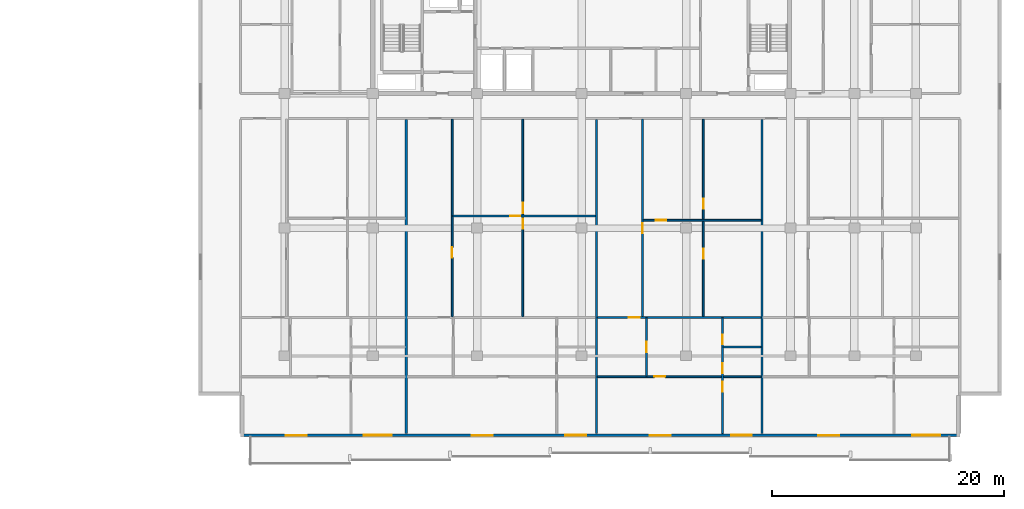
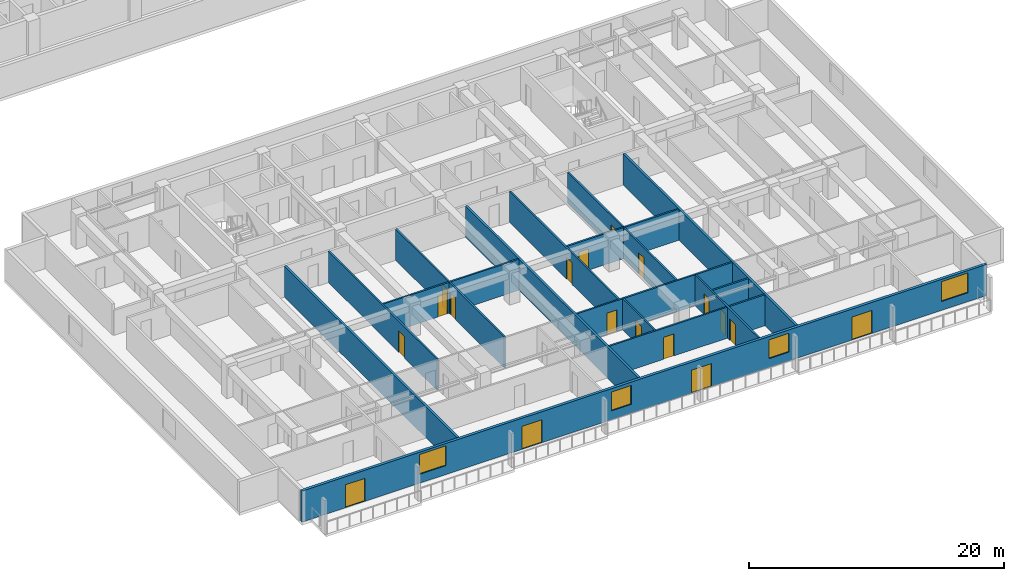
# One storey, part 5 of 23: 18 doors, 15 walls, 4 windows, 22 openings.
"""IFC4 building model written with IfcOpenShell, lengths in metres."""

from ifc_helpers import new_model, si_unit, direction, frame, frame_2d, origin, place, context, subcontext, project, spatial, rectangle, extrude, material, layer, layer_set, type_object, element, fill, save


model = new_model("IFC4")

# Units and contexts
model_context = context("Model", 3, precision=1e-05, world=origin(), true_north=direction((0.0, 1.0)))
body_context = subcontext(model_context, "Body", "Model", "MODEL_VIEW")
ifc_project = project(units=[si_unit("LENGTHUNIT", "METRE"), si_unit("AREAUNIT", "SQUARE_METRE"), si_unit("VOLUMEUNIT", "CUBIC_METRE"), si_unit("PLANEANGLEUNIT", "RADIAN"), si_unit("MASSUNIT", "GRAM", prefix="KILO")], contexts=[model_context])

# Site, building, storey
site_placement = place(None, origin())
site = spatial("IfcSite", under=ifc_project, at=site_placement, CompositionType="ELEMENT")
building_placement = place(site_placement, origin())
building = spatial("IfcBuilding", under=site, at=building_placement, Name="Korimba Cascade Residences", CompositionType="ELEMENT")
storey_placement = place(building_placement, frame((0.0, 0.0, 33.75)))
storey = spatial("IfcBuildingStorey", under=building, at=storey_placement, Name="L08", CompositionType="ELEMENT", Elevation=33.75)

# Wall, openings, doors, windows
ifc_material_1 = material(Name="Precast concrete C40/50", Category="concrete")
ifc_layer_1 = layer(ifc_material_1, 0.25)
ifc_layer_set_1 = layer_set([ifc_layer_1], Name="Precast concrete C40/50")
wall_type_1 = type_object("IfcWallType", Name="EW-LOG-250", PredefinedType="STANDARD", material=ifc_layer_set_1)
wall_1_placement = place(storey_placement, frame((70.699951171875, -11.050048828125, 0.0), z_axis=(0.0, 0.0, 1.0), x_axis=(1.0, 0.0, 0.0)))
wall_1 = element("IfcWall", 1, at=wall_1_placement, inside=storey, type_object=wall_type_1, Name="L08 T2 Perimeter Stone Wall E00", PredefinedType="STANDARD", context=body_context, shape_type="SweptSolid", body=[
    extrude(rectangle(XDim=62.0, YDim=0.25, at=frame_2d((31.0, 0.0))), origin(), (0.0, 0.0, 1.0), 2.969970703125),
])
opening_1_placement = place(wall_1_placement, frame((3.919921875, 0.0, 0.0)))
opening_1 = element("IfcOpeningElement", 2, at=opening_1_placement, cuts=wall_1, Name="Opening D-LG1", PredefinedType="OPENING", context=body_context, shape_type="SweptSolid", body=[
    extrude(rectangle(XDim=1.800048828125, YDim=2.199951171875, at=frame_2d((0.89990234375, 1.10009765625))), frame((0.0, 0.135009765625, 0.0), z_axis=(0.0, -1.0, 0.0), x_axis=(1.0, 0.0, 0.0)), (0.0, 0.0, 1.0), 0.27001953125),
])
opening_2_placement = place(wall_1_placement, frame((10.637939453125, 0.0, 0.85009765625)))
opening_2 = element("IfcOpeningElement", 3, at=opening_2_placement, cuts=wall_1, Name="Opening W-01", PredefinedType="OPENING", context=body_context, shape_type="SweptSolid", body=[
    extrude(rectangle(XDim=2.39990234375, YDim=1.89990234375, at=frame_2d((1.199951171875, 0.949951171875))), frame((0.0, 0.135009765625, 0.0), z_axis=(0.0, -1.0, 0.0), x_axis=(1.0, 0.0, 0.0)), (0.0, 0.0, 1.0), 0.27001953125),
])
opening_3_placement = place(wall_1_placement, frame((19.925537109375, 0.0, 0.0)))
opening_3 = element("IfcOpeningElement", 4, at=opening_3_placement, cuts=wall_1, Name="Opening D-LG1", PredefinedType="OPENING", context=body_context, shape_type="SweptSolid", body=[
    extrude(rectangle(XDim=1.800048828125, YDim=2.199951171875, at=frame_2d((0.89990234375, 1.10009765625))), frame((0.0, 0.135009765625, 0.0), z_axis=(0.0, -1.0, 0.0), x_axis=(1.0, 0.0, 0.0)), (0.0, 0.0, 1.0), 0.27001953125),
])
opening_4_placement = place(wall_1_placement, frame((28.0048828125, 0.0, 0.85009765625)))
opening_4 = element("IfcOpeningElement", 5, at=opening_4_placement, cuts=wall_1, Name="Opening W-02", PredefinedType="OPENING", context=body_context, shape_type="SweptSolid", body=[
    extrude(rectangle(XDim=1.800048828125, YDim=1.800048828125, at=frame_2d((0.89990234375, 0.89990234375))), frame((0.0, 0.135009765625, 0.0), z_axis=(0.0, -1.0, 0.0), x_axis=(1.0, 0.0, 0.0)), (0.0, 0.0, 1.0), 0.27001953125),
])
opening_5_placement = place(wall_1_placement, frame((35.262939453125, 0.0, 0.0)))
opening_5 = element("IfcOpeningElement", 6, at=opening_5_placement, cuts=wall_1, Name="Opening D-LG1", PredefinedType="OPENING", context=body_context, shape_type="SweptSolid", body=[
    extrude(rectangle(XDim=1.800048828125, YDim=2.199951171875, at=frame_2d((0.89990234375, 1.10009765625))), frame((0.0, 0.135009765625, 0.0), z_axis=(0.0, -1.0, 0.0), x_axis=(1.0, 0.0, 0.0)), (0.0, 0.0, 1.0), 0.27001953125),
])
opening_6_placement = place(wall_1_placement, frame((42.281005859375, 0.0, 0.85009765625)))
opening_6 = element("IfcOpeningElement", 7, at=opening_6_placement, cuts=wall_1, Name="Opening W-02", PredefinedType="OPENING", context=body_context, shape_type="SweptSolid", body=[
    extrude(rectangle(XDim=1.800048828125, YDim=1.800048828125, at=frame_2d((0.89990234375, 0.89990234375))), frame((0.0, 0.135009765625, 0.0), z_axis=(0.0, -1.0, 0.0), x_axis=(1.0, 0.0, 0.0)), (0.0, 0.0, 1.0), 0.27001953125),
])
opening_7_placement = place(wall_1_placement, frame((49.79541015625, 0.0, 0.0)))
opening_7 = element("IfcOpeningElement", 8, at=opening_7_placement, cuts=wall_1, Name="Opening D-LG1", PredefinedType="OPENING", context=body_context, shape_type="SweptSolid", body=[
    extrude(rectangle(XDim=1.800048828125, YDim=2.199951171875, at=frame_2d((0.89990234375, 1.10009765625))), frame((0.0, 0.135009765625, 0.0), z_axis=(0.0, -1.0, 0.0), x_axis=(1.0, 0.0, 0.0)), (0.0, 0.0, 1.0), 0.27001953125),
])
opening_8_placement = place(wall_1_placement, frame((57.89990234375, 0.0, 0.85009765625)))
opening_8 = element("IfcOpeningElement", 9, at=opening_8_placement, cuts=wall_1, Name="Opening W-01", PredefinedType="OPENING", context=body_context, shape_type="SweptSolid", body=[
    extrude(rectangle(XDim=2.39990234375, YDim=1.89990234375, at=frame_2d((1.199951171875, 0.949951171875))), frame((0.0, 0.135009765625, 0.0), z_axis=(0.0, -1.0, 0.0), x_axis=(1.0, 0.0, 0.0)), (0.0, 0.0, 1.0), 0.27001953125),
])
ifc_material_2 = material(Name="Glazed Aluminium Loggia Sliding Door", Category="aluminium")
door_type_1 = type_object("IfcDoorType", Name="DR-EXT-LOG", OperationType="NOTDEFINED", PredefinedType="DOOR", material=ifc_material_2)
door_1_placement = place(opening_1_placement, origin())
door_1 = element("IfcDoor", 10, at=door_1_placement, inside=storey, type_object=door_type_1, Name="L08 T2 Loggia Sliding Door 3", OperationType="SLIDING_TO_RIGHT", OverallHeight=2.199951171875, OverallWidth=1.800048828125, PredefinedType="DOOR", context=body_context, shape_type="SweptSolid", body=[
    extrude(rectangle(XDim=1.800048828125, YDim=2.199951171875, at=frame_2d((0.89990234375, 1.10009765625))), frame((0.0, 0.02490234375, 0.0), z_axis=(0.0, -1.0, 0.0), x_axis=(1.0, 0.0, 0.0)), (0.0, 0.0, 1.0), 0.050048828125),
])
fill(opening_1, door_1)
door_2_placement = place(opening_3_placement, origin())
door_2 = element("IfcDoor", 11, at=door_2_placement, inside=storey, type_object=door_type_1, Name="L08 T2 Loggia Sliding Door 5", OperationType="SLIDING_TO_RIGHT", OverallHeight=2.199951171875, OverallWidth=1.800048828125, PredefinedType="DOOR", context=body_context, shape_type="SweptSolid", body=[
    extrude(rectangle(XDim=1.800048828125, YDim=2.199951171875, at=frame_2d((0.89990234375, 1.10009765625))), frame((0.0, 0.02490234375, 0.0), z_axis=(0.0, -1.0, 0.0), x_axis=(1.0, 0.0, 0.0)), (0.0, 0.0, 1.0), 0.050048828125),
])
fill(opening_3, door_2)
door_3_placement = place(opening_5_placement, origin())
door_3 = element("IfcDoor", 12, at=door_3_placement, inside=storey, type_object=door_type_1, Name="L08 T2 Loggia Sliding Door 7", OperationType="SLIDING_TO_RIGHT", OverallHeight=2.199951171875, OverallWidth=1.800048828125, PredefinedType="DOOR", context=body_context, shape_type="SweptSolid", body=[
    extrude(rectangle(XDim=1.800048828125, YDim=2.199951171875, at=frame_2d((0.89990234375, 1.10009765625))), frame((0.0, 0.02490234375, 0.0), z_axis=(0.0, -1.0, 0.0), x_axis=(1.0, 0.0, 0.0)), (0.0, 0.0, 1.0), 0.050048828125),
])
fill(opening_5, door_3)
door_4_placement = place(opening_7_placement, origin())
door_4 = element("IfcDoor", 13, at=door_4_placement, inside=storey, type_object=door_type_1, Name="L08 T2 Loggia Sliding Door 9", OperationType="SLIDING_TO_RIGHT", OverallHeight=2.199951171875, OverallWidth=1.800048828125, PredefinedType="DOOR", context=body_context, shape_type="SweptSolid", body=[
    extrude(rectangle(XDim=1.800048828125, YDim=2.199951171875, at=frame_2d((0.89990234375, 1.10009765625))), frame((0.0, 0.02490234375, 0.0), z_axis=(0.0, -1.0, 0.0), x_axis=(1.0, 0.0, 0.0)), (0.0, 0.0, 1.0), 0.050048828125),
])
fill(opening_7, door_4)
ifc_material_3 = material(Name="Double-Glazed Aluminium Window", Category="aluminium")
window_type_1 = type_object("IfcWindowType", Name="WIN-BED-1800", PartitioningType="SINGLE_PANEL", PredefinedType="WINDOW", material=ifc_material_3)
window_1_placement = place(opening_4_placement, origin())
window_1 = element("IfcWindow", 14, at=window_1_placement, inside=storey, type_object=window_type_1, Name="L08 T2 South Facade Window 6", OverallHeight=1.800048828125, OverallWidth=1.800048828125, PartitioningType="SINGLE_PANEL", PredefinedType="WINDOW", context=body_context, shape_type="SweptSolid", body=[
    extrude(rectangle(XDim=1.800048828125, YDim=1.800048828125, at=frame_2d((0.89990234375, 0.89990234375))), frame((0.0, 0.030029296875, 0.0), z_axis=(0.0, -1.0, 0.0), x_axis=(1.0, 0.0, 0.0)), (0.0, 0.0, 1.0), 0.06005859375),
])
fill(opening_4, window_1)
window_2_placement = place(opening_6_placement, origin())
window_2 = element("IfcWindow", 15, at=window_2_placement, inside=storey, type_object=window_type_1, Name="L08 T2 South Facade Window 8", OverallHeight=1.800048828125, OverallWidth=1.800048828125, PartitioningType="SINGLE_PANEL", PredefinedType="WINDOW", context=body_context, shape_type="SweptSolid", body=[
    extrude(rectangle(XDim=1.800048828125, YDim=1.800048828125, at=frame_2d((0.89990234375, 0.89990234375))), frame((0.0, 0.030029296875, 0.0), z_axis=(0.0, -1.0, 0.0), x_axis=(1.0, 0.0, 0.0)), (0.0, 0.0, 1.0), 0.06005859375),
])
fill(opening_6, window_2)
window_type_2 = type_object("IfcWindowType", Name="WIN-RES-2400", PartitioningType="DOUBLE_PANEL_VERTICAL", PredefinedType="WINDOW", material=ifc_material_3)
window_3_placement = place(opening_2_placement, origin())
window_3 = element("IfcWindow", 16, at=window_3_placement, inside=storey, type_object=window_type_2, Name="L08 T2 South Facade Window 4", OverallHeight=1.89990234375, OverallWidth=2.39990234375, PartitioningType="DOUBLE_PANEL_VERTICAL", PredefinedType="WINDOW", context=body_context, shape_type="SweptSolid", body=[
    extrude(rectangle(XDim=2.39990234375, YDim=1.89990234375, at=frame_2d((1.199951171875, 0.949951171875))), frame((0.0, 0.030029296875, 0.0), z_axis=(0.0, -1.0, 0.0), x_axis=(1.0, 0.0, 0.0)), (0.0, 0.0, 1.0), 0.06005859375),
])
fill(opening_2, window_3)
window_4_placement = place(opening_8_placement, origin())
window_4 = element("IfcWindow", 17, at=window_4_placement, inside=storey, type_object=window_type_2, Name="L08 T2 South Facade Window 10", OverallHeight=1.89990234375, OverallWidth=2.39990234375, PartitioningType="DOUBLE_PANEL_VERTICAL", PredefinedType="WINDOW", context=body_context, shape_type="SweptSolid", body=[
    extrude(rectangle(XDim=2.39990234375, YDim=1.89990234375, at=frame_2d((1.199951171875, 0.949951171875))), frame((0.0, 0.030029296875, 0.0), z_axis=(0.0, -1.0, 0.0), x_axis=(1.0, 0.0, 0.0)), (0.0, 0.0, 1.0), 0.06005859375),
])
fill(opening_8, window_4)

# Walls
ifc_layer_2 = layer(ifc_material_1, 0.199951171875)
ifc_layer_set_2 = layer_set([ifc_layer_2], Name="Precast concrete C40/50")
wall_type_2 = type_object("IfcWallType", Name="WAL-IT-200", PredefinedType="PARTITIONING", material=ifc_layer_set_2)
for number, where, z_axis, x_axis, name in (
    (18, (84.975830078125, -10.89990234375, 0.0), (0.0, 0.0, 1.0), (0.0, 1.0, 0.0), "L08 Partition Wall WAL-L08-T2-DEM-1"),
    (19, (101.375, -10.89990234375, 0.0), (0.0, 0.0, 1.0), (0.0, 1.0, 0.0), "L08 Partition Wall WAL-L08-T2-DEM-2"),
    (20, (115.65087890625, -10.89990234375, 0.0), (0.0, 0.0, 1.0), (0.0, 1.0, 0.0), "L08 Partition Wall WAL-L08-T2-DEM-3"),
):
    element("IfcWall", number, at=place(storey_placement, frame(where, z_axis=z_axis, x_axis=x_axis)), inside=storey, type_object=wall_type_2, Name=name, PredefinedType="PARTITIONING", context=body_context, shape_type="SweptSolid", body=[
        extrude(rectangle(XDim=27.06982421875, YDim=0.199951171875, at=frame_2d((13.534912109375, 0.0))), origin(), (0.0, 0.0, 1.0), 2.969970703125),
    ])

# Wall, openings, doors
ifc_material_4 = material(Name="Insulated Acoustic Stud Partition", Category="gypsum")
ifc_layer_3 = layer(ifc_material_4, 0.14990234375)
ifc_layer_set_3 = layer_set([ifc_layer_3], Name="Insulated Acoustic Stud Partition")
wall_type_3 = type_object("IfcWallType", Name="WAL-PART-150", PredefinedType="PARTITIONING", material=ifc_layer_set_3)
wall_2_placement = place(storey_placement, frame((95.030517578125, -0.860107421875, 0.0), z_axis=(0.0, 0.0, 1.0), x_axis=(0.0, 1.0, 0.0)))
wall_2 = element("IfcWall", 21, at=wall_2_placement, inside=storey, type_object=wall_type_3, Name="L08 Partition Wall WAL-L08-T2-U02-FMV", PredefinedType="PARTITIONING", context=body_context, shape_type="SweptSolid", body=[
    extrude(rectangle(XDim=17.050048828125, YDim=0.14990234375, at=frame_2d((8.52490234375, 0.0))), origin(), (0.0, 0.0, 1.0), 2.969970703125),
])
opening_9_placement = place(wall_2_placement, frame((7.614990234375, 0.0, 0.0)))
opening_9 = element("IfcOpeningElement", 22, at=opening_9_placement, cuts=wall_2, Name="Opening D-BT1", PredefinedType="OPENING", context=body_context, shape_type="SweptSolid", body=[
    extrude(rectangle(XDim=0.840087890625, YDim=2.0400390625, at=frame_2d((0.419921875, 1.02001953125))), frame((0.0, 0.0849609375, 0.0), z_axis=(0.0, -1.0, 0.0), x_axis=(1.0, 0.0, 0.0)), (0.0, 0.0, 1.0), 0.169921875),
])
opening_10_placement = place(wall_2_placement, frame((8.955078125, 0.0, 0.0)))
opening_10 = element("IfcOpeningElement", 23, at=opening_10_placement, cuts=wall_2, Name="Opening D-IN2", PredefinedType="OPENING", context=body_context, shape_type="SweptSolid", body=[
    extrude(rectangle(XDim=0.8798828125, YDim=2.06005859375, at=frame_2d((0.43994140625, 1.030029296875))), frame((0.0, 0.0849609375, 0.0), z_axis=(0.0, -1.0, 0.0), x_axis=(1.0, 0.0, 0.0)), (0.0, 0.0, 1.0), 0.169921875),
])
ifc_material_5 = material(Name="Moisture-Resistant Bathroom Timber Door", Category="wood")
door_type_2 = type_object("IfcDoorType", Name="DR-INT-850", OperationType="NOTDEFINED", PredefinedType="DOOR", material=ifc_material_5)
door_5_placement = place(opening_9_placement, origin())
door_5 = element("IfcDoor", 24, at=door_5_placement, inside=storey, type_object=door_type_2, Name="L08-T2-U02 Wardrobe Door", OperationType="SINGLE_SWING_RIGHT", OverallHeight=2.0400390625, OverallWidth=0.840087890625, PredefinedType="DOOR", context=body_context, shape_type="SweptSolid", body=[
    extrude(rectangle(XDim=0.840087890625, YDim=2.0400390625, at=frame_2d((0.419921875, 1.02001953125))), frame((0.0, 0.02490234375, 0.0), z_axis=(0.0, -1.0, 0.0), x_axis=(1.0, 0.0, 0.0)), (0.0, 0.0, 1.0), 0.050048828125),
])
fill(opening_9, door_5)
ifc_material_6 = material(Name="Acoustic Timber Bedroom Door", Category="wood")
door_type_3 = type_object("IfcDoorType", Name="DR-INT-880", OperationType="NOTDEFINED", PredefinedType="DOOR", material=ifc_material_6)
door_6_placement = place(opening_10_placement, origin())
door_6 = element("IfcDoor", 25, at=door_6_placement, inside=storey, type_object=door_type_3, Name="L08-T2-U02 Music Lounge Door", OperationType="SINGLE_SWING_LEFT", OverallHeight=2.06005859375, OverallWidth=0.8798828125, PredefinedType="DOOR", context=body_context, shape_type="SweptSolid", body=[
    extrude(rectangle(XDim=0.8798828125, YDim=2.06005859375, at=frame_2d((0.43994140625, 1.030029296875))), frame((0.0, 0.02490234375, 0.0), z_axis=(0.0, -1.0, 0.0), x_axis=(1.0, 0.0, 0.0)), (0.0, 0.0, 1.0), 0.050048828125),
])
fill(opening_10, door_6)

# Wall, opening, door
wall_3_placement = place(storey_placement, frame((89.005859375, 7.844970703125, 0.0), z_axis=(0.0, 0.0, 1.0), x_axis=(1.0, 0.0, 0.0)))
wall_3 = element("IfcWall", 26, at=wall_3_placement, inside=storey, type_object=wall_type_3, Name="L08 Partition Wall WAL-L08-T2-U02-FMH", PredefinedType="PARTITIONING", context=body_context, shape_type="SweptSolid", body=[
    extrude(rectangle(XDim=12.2890625, YDim=0.14990234375, at=frame_2d((6.14453125, 0.0))), origin(), (0.0, 0.0, 1.0), 2.969970703125),
])
opening_11_placement = place(wall_3_placement, frame((4.924560546875, 0.0, 0.0)))
opening_11 = element("IfcOpeningElement", 27, at=opening_11_placement, cuts=wall_3, Name="Opening D-IN2", PredefinedType="OPENING", context=body_context, shape_type="SweptSolid", body=[
    extrude(rectangle(XDim=0.8798828125, YDim=2.06005859375, at=frame_2d((0.43994140625, 1.030029296875))), frame((0.0, 0.0849609375, 0.0), z_axis=(0.0, -1.0, 0.0), x_axis=(1.0, 0.0, 0.0)), (0.0, 0.0, 1.0), 0.169921875),
])
door_7_placement = place(opening_11_placement, origin())
door_7 = element("IfcDoor", 28, at=door_7_placement, inside=storey, type_object=door_type_3, Name="L08-T2-U02 Library Salon Door", OperationType="SINGLE_SWING_RIGHT", OverallHeight=2.06005859375, OverallWidth=0.8798828125, PredefinedType="DOOR", context=body_context, shape_type="SweptSolid", body=[
    extrude(rectangle(XDim=0.8798828125, YDim=2.06005859375, at=frame_2d((0.43994140625, 1.030029296875))), frame((0.0, 0.02490234375, 0.0), z_axis=(0.0, -1.0, 0.0), x_axis=(1.0, 0.0, 0.0)), (0.0, 0.0, 1.0), 0.050048828125),
])
fill(opening_11, door_7)

wall_4_placement = place(storey_placement, frame((88.94580078125, -0.860107421875, 0.0), z_axis=(0.0, 0.0, 1.0), x_axis=(0.0, 1.0, 0.0)))
wall_4 = element("IfcWall", 29, at=wall_4_placement, inside=storey, type_object=wall_type_3, Name="L08 Partition Wall WAL-L08-T2-U02-FV", PredefinedType="PARTITIONING", context=body_context, shape_type="SweptSolid", body=[
    extrude(rectangle(XDim=17.050048828125, YDim=0.14990234375, at=frame_2d((8.52490234375, 0.0))), origin(), (0.0, 0.0, 1.0), 2.969970703125),
])
opening_12_placement = place(wall_4_placement, frame((5.118408203125, 0.0, 0.0)))
opening_12 = element("IfcOpeningElement", 30, at=opening_12_placement, cuts=wall_4, Name="Opening D-IN2", PredefinedType="OPENING", context=body_context, shape_type="SweptSolid", body=[
    extrude(rectangle(XDim=0.8798828125, YDim=2.06005859375, at=frame_2d((0.43994140625, 1.030029296875))), frame((0.0, 0.0849609375, 0.0), z_axis=(0.0, -1.0, 0.0), x_axis=(1.0, 0.0, 0.0)), (0.0, 0.0, 1.0), 0.169921875),
])
door_8_placement = place(opening_12_placement, origin())
door_8 = element("IfcDoor", 31, at=door_8_placement, inside=storey, type_object=door_type_3, Name="L08-T2-U02 Media Lounge Door", OperationType="SINGLE_SWING_LEFT", OverallHeight=2.06005859375, OverallWidth=0.8798828125, PredefinedType="DOOR", context=body_context, shape_type="SweptSolid", body=[
    extrude(rectangle(XDim=0.8798828125, YDim=2.06005859375, at=frame_2d((0.43994140625, 1.030029296875))), frame((0.0, 0.02490234375, 0.0), z_axis=(0.0, -1.0, 0.0), x_axis=(1.0, 0.0, 0.0)), (0.0, 0.0, 1.0), 0.050048828125),
])
fill(opening_12, door_8)

# Wall, openings, doors
wall_5_placement = place(storey_placement, frame((110.587890625, -0.860107421875, 0.0), z_axis=(0.0, 0.0, 1.0), x_axis=(0.0, 1.0, 0.0)))
wall_5 = element("IfcWall", 32, at=wall_5_placement, inside=storey, type_object=wall_type_3, Name="L08 Partition Wall WAL-L08-T2-U03-FMV", PredefinedType="PARTITIONING", context=body_context, shape_type="SweptSolid", body=[
    extrude(rectangle(XDim=17.050048828125, YDim=0.14990234375, at=frame_2d((8.52490234375, 0.0))), origin(), (0.0, 0.0, 1.0), 2.969970703125),
])
opening_13_placement = place(wall_5_placement, frame((5.04541015625, 0.0, 0.0)))
opening_13 = element("IfcOpeningElement", 33, at=opening_13_placement, cuts=wall_5, Name="Opening D-BT1", PredefinedType="OPENING", context=body_context, shape_type="SweptSolid", body=[
    extrude(rectangle(XDim=0.840087890625, YDim=2.0400390625, at=frame_2d((0.419921875, 1.02001953125))), frame((0.0, 0.0849609375, 0.0), z_axis=(0.0, -1.0, 0.0), x_axis=(1.0, 0.0, 0.0)), (0.0, 0.0, 1.0), 0.169921875),
])
opening_14_placement = place(wall_5_placement, frame((9.3173828125, 0.0, 0.0)))
opening_14 = element("IfcOpeningElement", 34, at=opening_14_placement, cuts=wall_5, Name="Opening D-IN2", PredefinedType="OPENING", context=body_context, shape_type="SweptSolid", body=[
    extrude(rectangle(XDim=0.8798828125, YDim=2.06005859375, at=frame_2d((0.43994140625, 1.030029296875))), frame((0.0, 0.0849609375, 0.0), z_axis=(0.0, -1.0, 0.0), x_axis=(1.0, 0.0, 0.0)), (0.0, 0.0, 1.0), 0.169921875),
])
door_9_placement = place(opening_13_placement, origin())
door_9 = element("IfcDoor", 35, at=door_9_placement, inside=storey, type_object=door_type_2, Name="L08-T2-U03 Wardrobe Door", OperationType="SINGLE_SWING_RIGHT", OverallHeight=2.0400390625, OverallWidth=0.840087890625, PredefinedType="DOOR", context=body_context, shape_type="SweptSolid", body=[
    extrude(rectangle(XDim=0.840087890625, YDim=2.0400390625, at=frame_2d((0.419921875, 1.02001953125))), frame((0.0, 0.02490234375, 0.0), z_axis=(0.0, -1.0, 0.0), x_axis=(1.0, 0.0, 0.0)), (0.0, 0.0, 1.0), 0.050048828125),
])
fill(opening_13, door_9)
door_10_placement = place(opening_14_placement, origin())
door_10 = element("IfcDoor", 36, at=door_10_placement, inside=storey, type_object=door_type_3, Name="L08-T2-U03 Music Lounge Door", OperationType="SINGLE_SWING_LEFT", OverallHeight=2.06005859375, OverallWidth=0.8798828125, PredefinedType="DOOR", context=body_context, shape_type="SweptSolid", body=[
    extrude(rectangle(XDim=0.8798828125, YDim=2.06005859375, at=frame_2d((0.43994140625, 1.030029296875))), frame((0.0, 0.02490234375, 0.0), z_axis=(0.0, -1.0, 0.0), x_axis=(1.0, 0.0, 0.0)), (0.0, 0.0, 1.0), 0.050048828125),
])
fill(opening_14, door_10)

# Wall, opening, door
wall_6_placement = place(storey_placement, frame((105.405029296875, 7.485107421875, 0.0), z_axis=(0.0, 0.0, 1.0), x_axis=(1.0, 0.0, 0.0)))
wall_6 = element("IfcWall", 37, at=wall_6_placement, inside=storey, type_object=wall_type_3, Name="L08 Partition Wall WAL-L08-T2-U03-FMH", PredefinedType="PARTITIONING", context=body_context, shape_type="SweptSolid", body=[
    extrude(rectangle(XDim=10.165771484375, YDim=0.14990234375, at=frame_2d((5.0830078125, 0.0))), origin(), (0.0, 0.0, 1.0), 2.969970703125),
])
opening_15_placement = place(wall_6_placement, frame((1.0966796875, 0.0, 0.0)))
opening_15 = element("IfcOpeningElement", 38, at=opening_15_placement, cuts=wall_6, Name="Opening D-IN2", PredefinedType="OPENING", context=body_context, shape_type="SweptSolid", body=[
    extrude(rectangle(XDim=0.8798828125, YDim=2.06005859375, at=frame_2d((0.43994140625, 1.030029296875))), frame((0.0, 0.0849609375, 0.0), z_axis=(0.0, -1.0, 0.0), x_axis=(1.0, 0.0, 0.0)), (0.0, 0.0, 1.0), 0.169921875),
])
door_11_placement = place(opening_15_placement, origin())
door_11 = element("IfcDoor", 39, at=door_11_placement, inside=storey, type_object=door_type_3, Name="L08-T2-U03 Library Salon Door", OperationType="SINGLE_SWING_RIGHT", OverallHeight=2.06005859375, OverallWidth=0.8798828125, PredefinedType="DOOR", context=body_context, shape_type="SweptSolid", body=[
    extrude(rectangle(XDim=0.8798828125, YDim=2.06005859375, at=frame_2d((0.43994140625, 1.030029296875))), frame((0.0, 0.02490234375, 0.0), z_axis=(0.0, -1.0, 0.0), x_axis=(1.0, 0.0, 0.0)), (0.0, 0.0, 1.0), 0.050048828125),
])
fill(opening_15, door_11)

wall_7_placement = place(storey_placement, frame((105.344970703125, -0.860107421875, 0.0), z_axis=(0.0, 0.0, 1.0), x_axis=(0.0, 1.0, 0.0)))
wall_7 = element("IfcWall", 40, at=wall_7_placement, inside=storey, type_object=wall_type_3, Name="L08 Partition Wall WAL-L08-T2-U03-FV", PredefinedType="PARTITIONING", context=body_context, shape_type="SweptSolid", body=[
    extrude(rectangle(XDim=17.050048828125, YDim=0.14990234375, at=frame_2d((8.52490234375, 0.0))), origin(), (0.0, 0.0, 1.0), 2.969970703125),
])
opening_16_placement = place(wall_7_placement, frame((7.215087890625, 0.0, 0.0)))
opening_16 = element("IfcOpeningElement", 41, at=opening_16_placement, cuts=wall_7, Name="Opening D-IN2", PredefinedType="OPENING", context=body_context, shape_type="SweptSolid", body=[
    extrude(rectangle(XDim=0.8798828125, YDim=2.06005859375, at=frame_2d((0.43994140625, 1.030029296875))), frame((0.0, 0.0849609375, 0.0), z_axis=(0.0, -1.0, 0.0), x_axis=(1.0, 0.0, 0.0)), (0.0, 0.0, 1.0), 0.169921875),
])
door_12_placement = place(opening_16_placement, origin())
door_12 = element("IfcDoor", 42, at=door_12_placement, inside=storey, type_object=door_type_3, Name="L08-T2-U03 Media Lounge Door", OperationType="SINGLE_SWING_LEFT", OverallHeight=2.06005859375, OverallWidth=0.8798828125, PredefinedType="DOOR", context=body_context, shape_type="SweptSolid", body=[
    extrude(rectangle(XDim=0.8798828125, YDim=2.06005859375, at=frame_2d((0.43994140625, 1.030029296875))), frame((0.0, 0.02490234375, 0.0), z_axis=(0.0, -1.0, 0.0), x_axis=(1.0, 0.0, 0.0)), (0.0, 0.0, 1.0), 0.050048828125),
])
fill(opening_16, door_12)

wall_8_placement = place(storey_placement, frame((105.695068359375, -5.93994140625, 0.0), z_axis=(0.0, 0.0, 1.0), x_axis=(0.0, 1.0, 0.0)))
wall_8 = element("IfcWall", 43, at=wall_8_placement, inside=storey, type_object=wall_type_3, Name="L08 Partition Wall WAL-L08-T2-U03-VDIN", PredefinedType="PARTITIONING", context=body_context, shape_type="SweptSolid", body=[
    extrude(rectangle(XDim=5.0, YDim=0.14990234375, at=frame_2d((2.5, 0.0))), origin(), (0.0, 0.0, 1.0), 2.969970703125),
])
opening_17_placement = place(wall_8_placement, frame((2.06005859375, 0.0, 0.0)))
opening_17 = element("IfcOpeningElement", 44, at=opening_17_placement, cuts=wall_8, Name="Opening D-IN2", PredefinedType="OPENING", context=body_context, shape_type="SweptSolid", body=[
    extrude(rectangle(XDim=0.8798828125, YDim=2.06005859375, at=frame_2d((0.43994140625, 1.030029296875))), frame((0.0, 0.0849609375, 0.0), z_axis=(0.0, -1.0, 0.0), x_axis=(1.0, 0.0, 0.0)), (0.0, 0.0, 1.0), 0.169921875),
])
door_13_placement = place(opening_17_placement, origin())
door_13 = element("IfcDoor", 45, at=door_13_placement, inside=storey, type_object=door_type_3, Name="L08-T2-U03 Dining Room Door", OperationType="SINGLE_SWING_RIGHT", OverallHeight=2.06005859375, OverallWidth=0.8798828125, PredefinedType="DOOR", context=body_context, shape_type="SweptSolid", body=[
    extrude(rectangle(XDim=0.8798828125, YDim=2.06005859375, at=frame_2d((0.43994140625, 1.030029296875))), frame((0.0, 0.02490234375, 0.0), z_axis=(0.0, -1.0, 0.0), x_axis=(1.0, 0.0, 0.0)), (0.0, 0.0, 1.0), 0.050048828125),
])
fill(opening_17, door_13)

# Wall
wall_9_placement = place(storey_placement, frame((112.291015625, -3.43994140625, 0.0), z_axis=(0.0, 0.0, 1.0), x_axis=(1.0, 0.0, 0.0)))
element("IfcWall", 46, at=wall_9_placement, inside=storey, type_object=wall_type_3, Name="L08 Partition Wall WAL-L08-T2-U03-BLDIV", PredefinedType="PARTITIONING", context=body_context, shape_type="SweptSolid", body=[
    extrude(rectangle(XDim=3.27978515625, YDim=0.14990234375, at=frame_2d((1.639892578125, 0.0))), origin(), (0.0, 0.0, 1.0), 2.969970703125),
])

# Wall, openings, doors
wall_10_placement = place(storey_placement, frame((112.23095703125, -10.89990234375, 0.0), z_axis=(0.0, 0.0, 1.0), x_axis=(0.0, 1.0, 0.0)))
wall_10 = element("IfcWall", 47, at=wall_10_placement, inside=storey, type_object=wall_type_3, Name="L08 Partition Wall WAL-L08-T2-U03-V1", PredefinedType="PARTITIONING", context=body_context, shape_type="SweptSolid", body=[
    extrude(rectangle(XDim=9.9599609375, YDim=0.14990234375, at=frame_2d((4.97998046875, 0.0))), origin(), (0.0, 0.0, 1.0), 2.969970703125),
])
opening_18_placement = place(wall_10_placement, frame((5.199951171875, 0.0, 0.0)))
opening_18 = element("IfcOpeningElement", 48, at=opening_18_placement, cuts=wall_10, Name="Opening D-BT1", PredefinedType="OPENING", context=body_context, shape_type="SweptSolid", body=[
    extrude(rectangle(XDim=0.840087890625, YDim=2.0400390625, at=frame_2d((0.419921875, 1.02001953125))), frame((0.0, 0.0849609375, 0.0), z_axis=(0.0, -1.0, 0.0), x_axis=(1.0, 0.0, 0.0)), (0.0, 0.0, 1.0), 0.169921875),
])
opening_19_placement = place(wall_10_placement, frame((7.689697265625, 0.0, 0.0)))
opening_19 = element("IfcOpeningElement", 49, at=opening_19_placement, cuts=wall_10, Name="Opening D-BT1", PredefinedType="OPENING", context=body_context, shape_type="SweptSolid", body=[
    extrude(rectangle(XDim=0.840087890625, YDim=2.0400390625, at=frame_2d((0.419921875, 1.02001953125))), frame((0.0, 0.0849609375, 0.0), z_axis=(0.0, -1.0, 0.0), x_axis=(1.0, 0.0, 0.0)), (0.0, 0.0, 1.0), 0.169921875),
])
opening_20_placement = place(wall_10_placement, frame((3.60009765625, 0.0, 0.0)))
opening_20 = element("IfcOpeningElement", 50, at=opening_20_placement, cuts=wall_10, Name="Opening D-IN2", PredefinedType="OPENING", context=body_context, shape_type="SweptSolid", body=[
    extrude(rectangle(XDim=0.8798828125, YDim=2.06005859375, at=frame_2d((0.43994140625, 1.030029296875))), frame((0.0, 0.0849609375, 0.0), z_axis=(0.0, -1.0, 0.0), x_axis=(1.0, 0.0, 0.0)), (0.0, 0.0, 1.0), 0.169921875),
])
door_14_placement = place(opening_18_placement, origin())
door_14 = element("IfcDoor", 51, at=door_14_placement, inside=storey, type_object=door_type_2, Name="L08-T2-U03 Bathroom Door", OperationType="SINGLE_SWING_LEFT", OverallHeight=2.0400390625, OverallWidth=0.840087890625, PredefinedType="DOOR", context=body_context, shape_type="SweptSolid", body=[
    extrude(rectangle(XDim=0.840087890625, YDim=2.0400390625, at=frame_2d((0.419921875, 1.02001953125))), frame((0.0, 0.02490234375, 0.0), z_axis=(0.0, -1.0, 0.0), x_axis=(1.0, 0.0, 0.0)), (0.0, 0.0, 1.0), 0.050048828125),
])
fill(opening_18, door_14)
door_15_placement = place(opening_19_placement, origin())
door_15 = element("IfcDoor", 52, at=door_15_placement, inside=storey, type_object=door_type_2, Name="L08-T2-U03 Laundry Door", OperationType="SINGLE_SWING_RIGHT", OverallHeight=2.0400390625, OverallWidth=0.840087890625, PredefinedType="DOOR", context=body_context, shape_type="SweptSolid", body=[
    extrude(rectangle(XDim=0.840087890625, YDim=2.0400390625, at=frame_2d((0.419921875, 1.02001953125))), frame((0.0, 0.02490234375, 0.0), z_axis=(0.0, -1.0, 0.0), x_axis=(1.0, 0.0, 0.0)), (0.0, 0.0, 1.0), 0.050048828125),
])
fill(opening_19, door_15)
door_16_placement = place(opening_20_placement, origin())
door_16 = element("IfcDoor", 53, at=door_16_placement, inside=storey, type_object=door_type_3, Name="L08-T2-U03 Bedroom 1 Door", OperationType="SINGLE_SWING_LEFT", OverallHeight=2.06005859375, OverallWidth=0.8798828125, PredefinedType="DOOR", context=body_context, shape_type="SweptSolid", body=[
    extrude(rectangle(XDim=0.8798828125, YDim=2.06005859375, at=frame_2d((0.43994140625, 1.030029296875))), frame((0.0, 0.02490234375, 0.0), z_axis=(0.0, -1.0, 0.0), x_axis=(1.0, 0.0, 0.0)), (0.0, 0.0, 1.0), 0.050048828125),
])
fill(opening_20, door_16)

# Wall, opening, door
wall_11_placement = place(storey_placement, frame((101.455078125, -0.89990234375, 0.0), z_axis=(0.0, 0.0, 1.0), x_axis=(1.0, 0.0, 0.0)))
wall_11 = element("IfcWall", 54, at=wall_11_placement, inside=storey, type_object=wall_type_3, Name="L08 Partition Wall WAL-L08-T2-U03-MW", PredefinedType="PARTITIONING", context=body_context, shape_type="SweptSolid", body=[
    extrude(rectangle(XDim=14.11572265625, YDim=0.14990234375, at=frame_2d((7.057861328125, 0.0))), origin(), (0.0, 0.0, 1.0), 2.969970703125),
])
opening_21_placement = place(wall_11_placement, frame((2.719970703125, 0.0, 0.0)))
opening_21 = element("IfcOpeningElement", 55, at=opening_21_placement, cuts=wall_11, Name="Opening D-IN1", PredefinedType="OPENING", context=body_context, shape_type="SweptSolid", body=[
    extrude(rectangle(XDim=0.919921875, YDim=2.080078125, at=frame_2d((0.4599609375, 1.0400390625))), frame((0.0, 0.0849609375, 0.0), z_axis=(0.0, -1.0, 0.0), x_axis=(1.0, 0.0, 0.0)), (0.0, 0.0, 1.0), 0.169921875),
])
ifc_material_7 = material(Name="Acoustic Timber Living Door", Category="wood")
door_type_4 = type_object("IfcDoorType", Name="DR-INT-920", OperationType="NOTDEFINED", PredefinedType="DOOR", material=ifc_material_7)
door_17_placement = place(opening_21_placement, origin())
door_17 = element("IfcDoor", 56, at=door_17_placement, inside=storey, type_object=door_type_4, Name="L08-T2-U03 Kitchen Archway Door", OperationType="SINGLE_SWING_RIGHT", OverallHeight=2.080078125, OverallWidth=0.919921875, PredefinedType="DOOR", context=body_context, shape_type="SweptSolid", body=[
    extrude(rectangle(XDim=0.919921875, YDim=2.080078125, at=frame_2d((0.4599609375, 1.0400390625))), frame((0.0, 0.02490234375, 0.0), z_axis=(0.0, -1.0, 0.0), x_axis=(1.0, 0.0, 0.0)), (0.0, 0.0, 1.0), 0.050048828125),
])
fill(opening_21, door_17)

wall_12_placement = place(storey_placement, frame((101.455078125, -6.0, 0.0), z_axis=(0.0, 0.0, 1.0), x_axis=(1.0, 0.0, 0.0)))
wall_12 = element("IfcWall", 57, at=wall_12_placement, inside=storey, type_object=wall_type_3, Name="L08 Partition Wall WAL-L08-T2-U03-HZ", PredefinedType="PARTITIONING", context=body_context, shape_type="SweptSolid", body=[
    extrude(rectangle(XDim=14.11572265625, YDim=0.14990234375, at=frame_2d((7.057861328125, 0.0))), origin(), (0.0, 0.0, 1.0), 2.969970703125),
])
opening_22_placement = place(wall_12_placement, frame((4.91796875, 0.0, 0.0)))
opening_22 = element("IfcOpeningElement", 58, at=opening_22_placement, cuts=wall_12, Name="Opening D-IN0", PredefinedType="OPENING", context=body_context, shape_type="SweptSolid", body=[
    extrude(rectangle(XDim=0.93994140625, YDim=2.10009765625, at=frame_2d((0.469970703125, 1.050048828125))), frame((0.0, 0.0849609375, 0.0), z_axis=(0.0, -1.0, 0.0), x_axis=(1.0, 0.0, 0.0)), (0.0, 0.0, 1.0), 0.169921875),
])
ifc_material_8 = material(Name="Acoustic Timber Living Archway Door", Category="wood")
door_type_5 = type_object("IfcDoorType", Name="DR-INT-950", OperationType="NOTDEFINED", PredefinedType="DOOR", material=ifc_material_8)
door_18_placement = place(opening_22_placement, origin())
door_18 = element("IfcDoor", 59, at=door_18_placement, inside=storey, type_object=door_type_5, Name="L08-T2-U03 Living Archway Door", OperationType="SINGLE_SWING_LEFT", OverallHeight=2.10009765625, OverallWidth=0.93994140625, PredefinedType="DOOR", context=body_context, shape_type="SweptSolid", body=[
    extrude(rectangle(XDim=0.93994140625, YDim=2.10009765625, at=frame_2d((0.469970703125, 1.050048828125))), frame((0.0, 0.02490234375, 0.0), z_axis=(0.0, -1.0, 0.0), x_axis=(1.0, 0.0, 0.0)), (0.0, 0.0, 1.0), 0.050048828125),
])
fill(opening_22, door_18)

save(model, "model.ifc")
